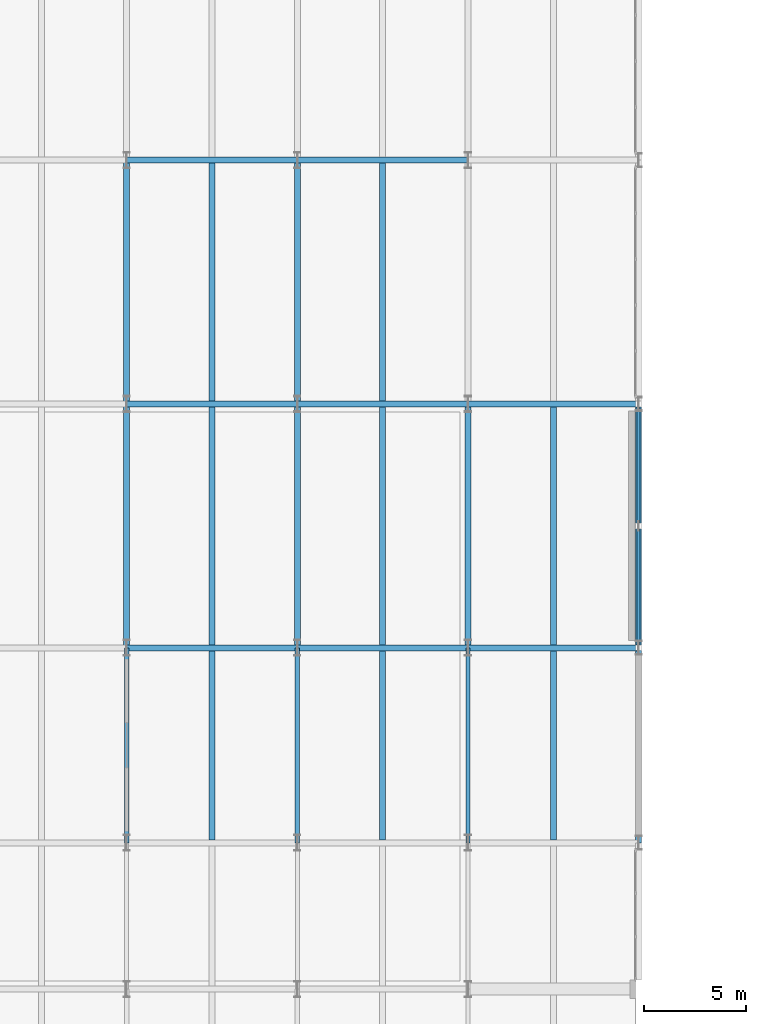
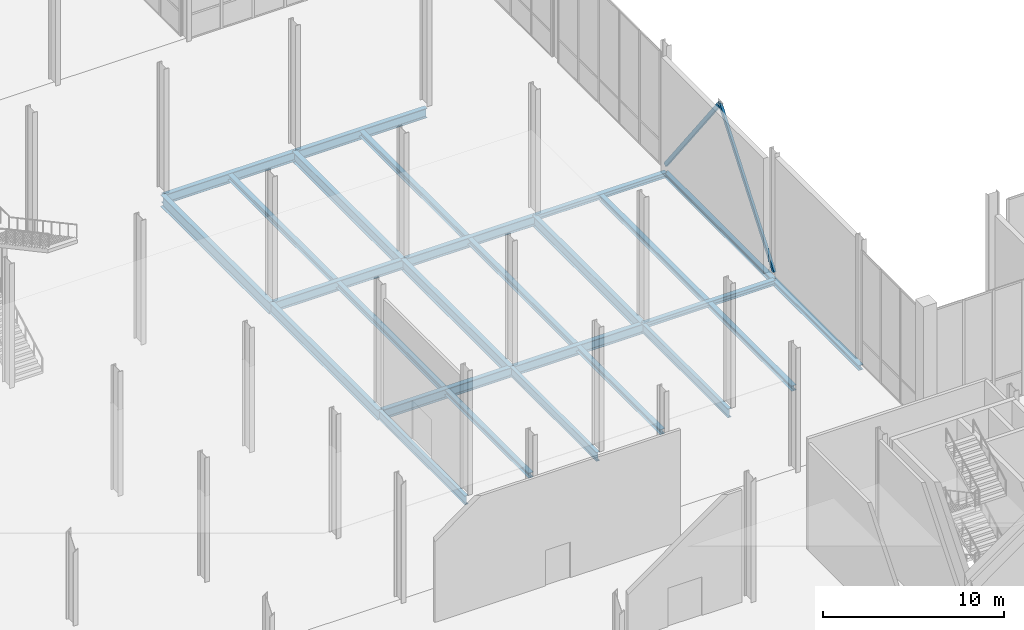
# One storey, part 36 of 131: 26 beams, 2 members.
"""IFC4 building model written with IfcOpenShell, lengths in metres."""

from ifc_helpers import new_model, si_unit, direction, frame, origin, origin_2d, place, context, subcontext, project, spatial, hollow_rectangle, i_section, extrude, material, material_profile, profile_set, type_object, element, save


model = new_model("IFC4")

# Units and contexts
model_context = context("Model", 3, precision=1e-05, world=origin(), true_north=direction((0.0, 1.0)))
body_context = subcontext(model_context, "Body", "Model", "MODEL_VIEW")
ifc_project = project(units=[si_unit("LENGTHUNIT", "METRE"), si_unit("AREAUNIT", "SQUARE_METRE"), si_unit("VOLUMEUNIT", "CUBIC_METRE"), si_unit("PLANEANGLEUNIT", "RADIAN"), si_unit("MASSUNIT", "GRAM", prefix="KILO")], contexts=[model_context])

# Site, building, storey
site_placement = place(None, origin())
site = spatial("IfcSite", under=ifc_project, at=site_placement, CompositionType="ELEMENT")
building_placement = place(site_placement, origin())
building = spatial("IfcBuilding", under=site, at=building_placement, Name="Veltarok Museum of Natural Sciences", CompositionType="ELEMENT")
storey_placement = place(building_placement, origin())
storey = spatial("IfcBuildingStorey", under=building, at=storey_placement, Name="L00", CompositionType="ELEMENT", Elevation=0.0)

# Beams
ifc_material_1 = material(Name="Steel S355J2", Category="steel")
ifc_material_profile_1 = material_profile(ifc_material_1, i_section(OverallWidth=0.300048828125, OverallDepth=0.800048828125, WebThickness=0.017578125, FlangeThickness=0.032958984375, FilletRadius=0.030029296875, at=origin_2d()), Name="HEB 800")
ifc_profile_set_1 = profile_set([ifc_material_profile_1], Name="Steel S355J2")
beam_type_1 = type_object("IfcBeamType", Name="Atrium Edge Transfer Girder HEB 800", PredefinedType="BEAM", material=ifc_profile_set_1)
beam_1_placement = place(storey_placement, frame((73.60009765625, 48.0, -0.699951171875), z_axis=(0.0, 1.0, 0.0), x_axis=(-1.0, 0.0, 0.0)))
element("IfcBeam", 1, at=beam_1_placement, inside=storey, type_object=beam_type_1, Name="Beam BM-G06 L00 9/F-G", PredefinedType="BEAM", context=body_context, shape_type="SweptSolid", body=[
    extrude(i_section(OverallWidth=0.300048828125, OverallDepth=0.800048828125, WebThickness=0.017578125, FlangeThickness=0.032958984375, FilletRadius=0.030029296875, at=origin_2d()), origin(), (0.0, 0.0, 1.0), 12.0),
])
ifc_material_profile_2 = material_profile(ifc_material_1, i_section(OverallWidth=0.300048828125, OverallDepth=0.389892578125, WebThickness=0.010986328125, FlangeThickness=0.01904296875, FilletRadius=0.027099609375, at=origin_2d()), Name="HEA 400")
ifc_profile_set_2 = profile_set([ifc_material_profile_2], Name="Steel S355J2")
beam_type_2 = type_object("IfcBeamType", Name="Heavy Archive Joist HEA 400", PredefinedType="JOIST", material=ifc_profile_set_2)
for number, where, z_axis, x_axis, name in (
    (2, (77.800048828125, 36.14794921875, -0.4951171875), (0.0, 1.0, 0.0), (-1.0, 0.0, 0.0), "Secondary Joist BM-J06 L00 9-10/E-F.1"),
    (3, (77.800048828125, 48.14794921875, -0.4951171875), (0.0, 1.0, 0.0), (-1.0, 0.0, 0.0), "Secondary Joist BM-J06 L00 9-10/F-G.1"),
    (4, (86.199951171875, 36.14794921875, -0.4951171875), (0.0, 1.0, 0.0), (-1.0, 0.0, 0.0), "Secondary Joist BM-J06 L00 10-11/E-F.1"),
    (5, (86.199951171875, 48.14794921875, -0.4951171875), (0.0, 1.0, 0.0), (-1.0, 0.0, 0.0), "Secondary Joist BM-J06 L00 10-11/F-G.1"),
    (6, (94.60009765625, 36.14794921875, -0.4951171875), (0.0, 1.0, 0.0), (-1.0, 0.0, 0.0), "Secondary Joist BM-J06 L00 11-12/E-F.1"),
):
    element("IfcBeam", number, at=place(storey_placement, frame(where, z_axis=z_axis, x_axis=x_axis)), inside=storey, type_object=beam_type_2, Name=name, PredefinedType="JOIST", context=body_context, shape_type="SweptSolid", body=[
        extrude(i_section(OverallWidth=0.300048828125, OverallDepth=0.389892578125, WebThickness=0.010986328125, FlangeThickness=0.01904296875, FilletRadius=0.027099609375, at=origin_2d()), origin(), (0.0, 0.0, 1.0), 11.7041015625),
    ])
ifc_material_profile_3 = material_profile(ifc_material_1, i_section(OverallWidth=0.300048828125, OverallDepth=0.64990234375, WebThickness=0.01611328125, FlangeThickness=0.031005859375, FilletRadius=0.027099609375, at=origin_2d()), Name="HEB 650")
ifc_profile_set_3 = profile_set([ifc_material_profile_3], Name="Steel S355J2")
beam_type_3 = type_object("IfcBeamType", Name="Heavy Spine Girder HEB 650", PredefinedType="BEAM", material=ifc_profile_set_3)
for number, where, z_axis, x_axis, name in (
    (7, (73.60009765625, 36.0, -0.625), (1.0, 0.0, 0.0), (0.0, 1.0, 0.0), "Beam BM-G11 L00 9-10/E"),
    (8, (82.0, 36.0, -0.625), (1.0, 0.0, 0.0), (0.0, 1.0, 0.0), "Beam BM-G11 L00 10-11/E"),
    (9, (73.60009765625, 48.0, -0.625), (1.0, 0.0, 0.0), (0.0, 1.0, 0.0), "Beam BM-G11 L00 9-10/F"),
    (10, (82.0, 48.0, -0.625), (1.0, 0.0, 0.0), (0.0, 1.0, 0.0), "Beam BM-G11 L00 10-11/F"),
    (11, (73.60009765625, 60.0, -0.625), (1.0, 0.0, 0.0), (0.0, 1.0, 0.0), "Beam BM-G11 L00 9-10/G"),
    (12, (82.0, 60.0, -0.625), (1.0, 0.0, 0.0), (0.0, 1.0, 0.0), "Beam BM-G11 L00 10-11/G"),
):
    element("IfcBeam", number, at=place(storey_placement, frame(where, z_axis=z_axis, x_axis=x_axis)), inside=storey, type_object=beam_type_3, Name=name, PredefinedType="BEAM", context=body_context, shape_type="SweptSolid", body=[
        extrude(i_section(OverallWidth=0.300048828125, OverallDepth=0.64990234375, WebThickness=0.01611328125, FlangeThickness=0.031005859375, FilletRadius=0.027099609375, at=origin_2d()), origin(), (0.0, 0.0, 1.0), 8.39990234375),
    ])
ifc_material_profile_4 = material_profile(ifc_material_1, i_section(OverallWidth=0.300048828125, OverallDepth=0.35009765625, WebThickness=0.010009765625, FlangeThickness=0.017578125, FilletRadius=0.027099609375, at=origin_2d()), Name="HEA 360")
ifc_profile_set_4 = profile_set([ifc_material_profile_4], Name="Steel S355J2")
beam_type_4 = type_object("IfcBeamType", Name="Long-Span Gallery Joist HEA 360", PredefinedType="JOIST", material=ifc_profile_set_4)
for number, where, z_axis, x_axis, name in (
    (13, (77.800048828125, 26.548095703125, -0.47509765625), (0.0, 1.0, 0.0), (-1.0, 0.0, 0.0), "Secondary Joist BM-J07 L00 9-10/D-E.1"),
    (14, (86.199951171875, 26.548095703125, -0.47509765625), (0.0, 1.0, 0.0), (-1.0, 0.0, 0.0), "Secondary Joist BM-J07 L00 10-11/D-E.1"),
    (15, (94.60009765625, 26.548095703125, -0.47509765625), (0.0, 1.0, 0.0), (-1.0, 0.0, 0.0), "Secondary Joist BM-J07 L00 11-12/D-E.1"),
):
    element("IfcBeam", number, at=place(storey_placement, frame(where, z_axis=z_axis, x_axis=x_axis)), inside=storey, type_object=beam_type_4, Name=name, PredefinedType="JOIST", context=body_context, shape_type="SweptSolid", body=[
        extrude(i_section(OverallWidth=0.300048828125, OverallDepth=0.35009765625, WebThickness=0.010009765625, FlangeThickness=0.017578125, FilletRadius=0.027099609375, at=origin_2d()), origin(), (0.0, 0.0, 1.0), 9.303955078125),
    ])
ifc_material_profile_5 = material_profile(ifc_material_1, i_section(OverallWidth=0.300048828125, OverallDepth=0.699951171875, WebThickness=0.01708984375, FlangeThickness=0.031982421875, FilletRadius=0.027099609375, at=origin_2d()), Name="HEB 700")
ifc_profile_set_5 = profile_set([ifc_material_profile_5], Name="Steel S355J2")
beam_type_5 = type_object("IfcBeamType", Name="Long-Span Hall Girder HEB 700", PredefinedType="BEAM", material=ifc_profile_set_5)
for number, where, z_axis, x_axis, name in (
    (16, (73.60009765625, 36.0, -0.64990234375), (0.0, 1.0, 0.0), (-1.0, 0.0, 0.0), "Beam BM-G01 L00 9/E-F"),
    (17, (82.0, 36.0, -0.64990234375), (0.0, 1.0, 0.0), (-1.0, 0.0, 0.0), "Beam BM-G01 L00 10/E-F"),
    (18, (82.0, 48.0, -0.64990234375), (0.0, 1.0, 0.0), (-1.0, 0.0, 0.0), "Beam BM-G01 L00 10/F-G"),
    (19, (90.39990234375, 36.0, -0.64990234375), (0.0, 1.0, 0.0), (-1.0, 0.0, 0.0), "Beam BM-G01 L00 11/E-F"),
):
    element("IfcBeam", number, at=place(storey_placement, frame(where, z_axis=z_axis, x_axis=x_axis)), inside=storey, type_object=beam_type_5, Name=name, PredefinedType="BEAM", context=body_context, shape_type="SweptSolid", body=[
        extrude(i_section(OverallWidth=0.300048828125, OverallDepth=0.699951171875, WebThickness=0.01708984375, FlangeThickness=0.031982421875, FilletRadius=0.027099609375, at=origin_2d()), origin(), (0.0, 0.0, 1.0), 12.0),
    ])
ifc_material_profile_6 = material_profile(ifc_material_1, i_section(OverallWidth=0.300048828125, OverallDepth=0.340087890625, WebThickness=0.011962890625, FlangeThickness=0.021484375, FilletRadius=0.027099609375, at=origin_2d()), Name="HEB 340")
ifc_profile_set_6 = profile_set([ifc_material_profile_6], Name="Steel S355J2")
beam_type_6 = type_object("IfcBeamType", Name="Perimeter Bridge Spandrel HEB 340", PredefinedType="SPANDREL", material=ifc_profile_set_6)
for number, where, z_axis, x_axis, name in (
    (20, (90.39990234375, 36.0, -0.469970703125), (1.0, 0.0, 0.0), (0.0, 1.0, 0.0), "Beam BM-SP07 L00 11-12/E"),
    (21, (90.39990234375, 48.0, -0.469970703125), (1.0, 0.0, 0.0), (0.0, 1.0, 0.0), "Beam BM-SP07 L00 11-12/F"),
):
    element("IfcBeam", number, at=place(storey_placement, frame(where, z_axis=z_axis, x_axis=x_axis)), inside=storey, type_object=beam_type_6, Name=name, PredefinedType="SPANDREL", context=body_context, shape_type="SweptSolid", body=[
        extrude(i_section(OverallWidth=0.300048828125, OverallDepth=0.340087890625, WebThickness=0.011962890625, FlangeThickness=0.021484375, FilletRadius=0.027099609375, at=origin_2d()), origin(), (0.0, 0.0, 1.0), 8.400146484375),
    ])
beam_2_placement = place(storey_placement, frame((98.800048828125, 26.39990234375, -0.469970703125), z_axis=(0.0, 1.0, 0.0), x_axis=(-1.0, 0.0, 0.0)))
element("IfcBeam", 22, at=beam_2_placement, inside=storey, type_object=beam_type_6, Name="Beam BM-SP07 L00 12/D-E", PredefinedType="SPANDREL", context=body_context, shape_type="SweptSolid", body=[
    extrude(i_section(OverallWidth=0.300048828125, OverallDepth=0.340087890625, WebThickness=0.011962890625, FlangeThickness=0.021484375, FilletRadius=0.027099609375, at=origin_2d()), origin(), (0.0, 0.0, 1.0), 9.60009765625),
])
beam_3_placement = place(storey_placement, frame((98.800048828125, 36.0, -0.469970703125), z_axis=(0.0, 1.0, 0.0), x_axis=(-1.0, 0.0, 0.0)))
element("IfcBeam", 23, at=beam_3_placement, inside=storey, type_object=beam_type_6, Name="Beam BM-SP07 L00 12/E-F", PredefinedType="SPANDREL", context=body_context, shape_type="SweptSolid", body=[
    extrude(i_section(OverallWidth=0.300048828125, OverallDepth=0.340087890625, WebThickness=0.011962890625, FlangeThickness=0.021484375, FilletRadius=0.027099609375, at=origin_2d()), origin(), (0.0, 0.0, 1.0), 12.0),
])

# Members
ifc_material_2 = material(Name="Oxide-red painted Steel S355J2", Category="steel")
ifc_material_profile_7 = material_profile(ifc_material_2, hollow_rectangle(XDim=0.14990234375, YDim=0.25, WallThickness=0.010009765625, at=origin_2d()), Name="RHS 250x150x10")
ifc_profile_set_7 = profile_set([ifc_material_profile_7], Name="Oxide-red painted Steel S355J2")
member_type = type_object("IfcMemberType", Name="Perimeter Frame Lateral Brace RHS 250x150x10", PredefinedType="BRACE", material=ifc_profile_set_7)
for number, where, z_axis, x_axis, name in (
    (24, (98.800048828125, 36.0, 0.14990234375), (0.0, 0.611185584885, 0.791487321963), (-1.0, 0.0, 0.0), "Chevron Lateral Brace L00 12/E-F"),
    (25, (98.800048828125, 48.0, 0.14990234375), (0.0, -0.611185584885, 0.791487321963), (1.0, 0.0, 0.0), "Chevron Lateral Brace L00 12/E-F"),
):
    element("IfcMember", number, at=place(storey_placement, frame(where, z_axis=z_axis, x_axis=x_axis)), inside=storey, type_object=member_type, Name=name, PredefinedType="BRACE", context=body_context, shape_type="SweptSolid", body=[
        extrude(hollow_rectangle(XDim=0.14990234375, YDim=0.25, WallThickness=0.010009765625, at=origin_2d()), origin(), (0.0, 0.0, 1.0), 9.81689453125),
    ])

# Beams
ifc_material_profile_8 = material_profile(ifc_material_1, i_section(OverallWidth=0.219970703125, OverallDepth=0.60009765625, WebThickness=0.011962890625, FlangeThickness=0.01904296875, FilletRadius=0.02392578125, at=origin_2d()), Name="IPE 600")
ifc_profile_set_8 = profile_set([ifc_material_profile_8], Name="Steel S355J2")
beam_type_7 = type_object("IfcBeamType", Name="Primary Museum Girder IPE 600", PredefinedType="BEAM", material=ifc_profile_set_8)
for number, where, z_axis, x_axis, name in (
    (26, (73.60009765625, 26.39990234375, -0.60009765625), (0.0, 1.0, 0.0), (-1.0, 0.0, 0.0), "Beam BM-G02 L00 9/D-E"),
    (27, (82.0, 26.39990234375, -0.60009765625), (0.0, 1.0, 0.0), (-1.0, 0.0, 0.0), "Beam BM-G02 L00 10/D-E"),
    (28, (90.39990234375, 26.39990234375, -0.60009765625), (0.0, 1.0, 0.0), (-1.0, 0.0, 0.0), "Beam BM-G02 L00 11/D-E"),
):
    element("IfcBeam", number, at=place(storey_placement, frame(where, z_axis=z_axis, x_axis=x_axis)), inside=storey, type_object=beam_type_7, Name=name, PredefinedType="BEAM", context=body_context, shape_type="SweptSolid", body=[
        extrude(i_section(OverallWidth=0.219970703125, OverallDepth=0.60009765625, WebThickness=0.011962890625, FlangeThickness=0.01904296875, FilletRadius=0.02392578125, at=origin_2d()), origin(), (0.0, 0.0, 1.0), 9.60009765625),
    ])

save(model, "model.ifc")
